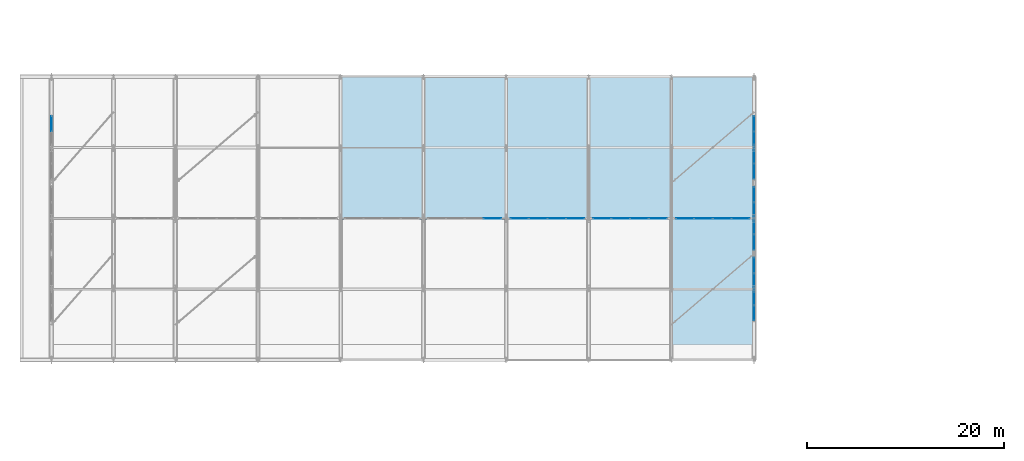
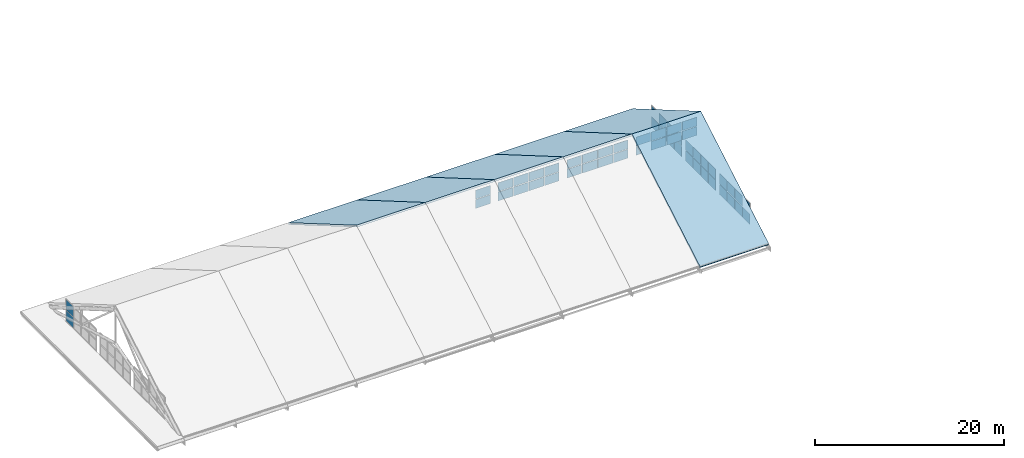
# One storey, part 39 of 54: 52 plates, 6 slabs, 8 elements without a shape of their own.
"""IFC4 building model written with IfcOpenShell, lengths in metres."""

from ifc_helpers import new_model, si_unit, direction, frame, origin, origin_2d, place, context, subcontext, project, spatial, polyline, rectangle, outline, extrude, material, layer, layer_set, type_object, element, aggregate, save


model = new_model("IFC4")

# Units and contexts
model_context = context("Model", 3, precision=1e-05, world=origin(), true_north=direction((0.0, 1.0)))
body_context = subcontext(model_context, "Body", "Model", "MODEL_VIEW")
ifc_project = project(units=[si_unit("LENGTHUNIT", "METRE"), si_unit("AREAUNIT", "SQUARE_METRE"), si_unit("VOLUMEUNIT", "CUBIC_METRE"), si_unit("PLANEANGLEUNIT", "RADIAN"), si_unit("MASSUNIT", "GRAM", prefix="KILO")], contexts=[model_context])

# Site, building, storey
site_placement = place(None, origin())
site = spatial("IfcSite", under=ifc_project, at=site_placement, CompositionType="ELEMENT")
building_placement = place(site_placement, origin())
building = spatial("IfcBuilding", under=site, at=building_placement, Name="Zulmaris Art Gallery", CompositionType="ELEMENT")
storey_placement = place(building_placement, frame((0.0, 0.0, 26.39990234375)))
storey = spatial("IfcBuildingStorey", under=building, at=storey_placement, Name="L05", CompositionType="ELEMENT", Elevation=26.39990234375)

# Curtain wall, plates
ifc_material_1 = material(Name="Pitched Roof North-Light Clerestory Wall", Category="aluminium")
ifc_layer_1 = layer(ifc_material_1, 0.179931640625)
ifc_layer_set_1 = layer_set([ifc_layer_1], Name="Pitched Roof North-Light Clerestory Wall")
curtain_wall_type = type_object("IfcCurtainWallType", Name="CW-CW05", PredefinedType="NOTDEFINED", material=ifc_layer_set_1)
curtain_wall_1_placement = place(storey_placement, origin())
curtain_wall_1 = element("IfcCurtainWall", 1, at=curtain_wall_1_placement, inside=storey, type_object=curtain_wall_type, Name="L05 curtain wall 40", PredefinedType="NOTDEFINED")
ifc_material_2 = material(Name="Triple Solar-Control Laminated Glass", Category="glass")
ifc_layer_2 = layer(ifc_material_2, 0.035888671875)
ifc_layer_set_2 = layer_set([ifc_layer_2], Name="Triple Solar-Control Laminated Glass")
plate_type = type_object("IfcPlateType", Name="CWPAN-GLZ", PredefinedType="CURTAIN_PANEL", material=ifc_layer_set_2)
plate_1_placement = place(storey_placement, frame((11.39990234375, 45.61865234375, 0.0751953125), z_axis=(0.0, 0.0, 1.0), x_axis=(0.0, 1.0, 0.0)))
plate_1 = element("IfcPlate", 2, at=plate_1_placement, type_object=plate_type, Name="CW05 panel 4.1", PredefinedType="CURTAIN_PANEL", context=body_context, shape_type="SweptSolid", body=[
    extrude(rectangle(XDim=1.512451171875, YDim=0.031982421875, at=origin_2d()), origin(), (0.0, 0.0, 1.0), 1.33740234375),
])
plate_2_placement = place(storey_placement, frame((11.39990234375, 45.61865234375, 1.487548828125), z_axis=(0.0, 0.0, 1.0), x_axis=(0.0, 1.0, 0.0)))
plate_2 = element("IfcPlate", 3, at=plate_2_placement, type_object=plate_type, Name="CW05 panel 4.2", PredefinedType="CURTAIN_PANEL", context=body_context, shape_type="SweptSolid", body=[
    extrude(rectangle(XDim=1.512451171875, YDim=0.031982421875, at=origin_2d()), origin(), (0.0, 0.0, 1.0), 1.33740234375),
])
aggregate(curtain_wall_1, [plate_1, plate_2])

curtain_wall_2_placement = place(storey_placement, origin())
curtain_wall_2 = element("IfcCurtainWall", 4, at=curtain_wall_2_placement, inside=storey, type_object=curtain_wall_type, Name="L05 curtain wall 41", PredefinedType="NOTDEFINED")
plate_3_placement = place(storey_placement, frame((82.800048828125, 26.38134765625, 0.0751953125), z_axis=(0.0, 0.0, 1.0), x_axis=(0.0, 1.0, 0.0)))
plate_3 = element("IfcPlate", 5, at=plate_3_placement, type_object=plate_type, Name="CW05 panel 1.1", PredefinedType="CURTAIN_PANEL", context=body_context, shape_type="SweptSolid", body=[
    extrude(rectangle(XDim=1.512451171875, YDim=0.031982421875, at=origin_2d()), origin(), (0.0, 0.0, 1.0), 1.33740234375),
])
plate_4_placement = place(storey_placement, frame((82.800048828125, 26.38134765625, 1.487548828125), z_axis=(0.0, 0.0, 1.0), x_axis=(0.0, 1.0, 0.0)))
plate_4 = element("IfcPlate", 6, at=plate_4_placement, type_object=plate_type, Name="CW05 panel 1.2", PredefinedType="CURTAIN_PANEL", context=body_context, shape_type="SweptSolid", body=[
    extrude(rectangle(XDim=1.512451171875, YDim=0.031982421875, at=origin_2d()), origin(), (0.0, 0.0, 1.0), 1.33740234375),
])
plate_5_placement = place(storey_placement, frame((82.800048828125, 27.987548828125, 0.0751953125), z_axis=(0.0, 0.0, 1.0), x_axis=(0.0, 1.0, 0.0)))
plate_5 = element("IfcPlate", 7, at=plate_5_placement, type_object=plate_type, Name="CW05 panel 2.1", PredefinedType="CURTAIN_PANEL", context=body_context, shape_type="SweptSolid", body=[
    extrude(rectangle(XDim=1.550048828125, YDim=0.031982421875, at=origin_2d()), origin(), (0.0, 0.0, 1.0), 1.33740234375),
])
plate_6_placement = place(storey_placement, frame((82.800048828125, 27.987548828125, 1.487548828125), z_axis=(0.0, 0.0, 1.0), x_axis=(0.0, 1.0, 0.0)))
plate_6 = element("IfcPlate", 8, at=plate_6_placement, type_object=plate_type, Name="CW05 panel 2.2", PredefinedType="CURTAIN_PANEL", context=body_context, shape_type="SweptSolid", body=[
    extrude(rectangle(XDim=1.550048828125, YDim=0.031982421875, at=origin_2d()), origin(), (0.0, 0.0, 1.0), 1.33740234375),
])
plate_7_placement = place(storey_placement, frame((82.800048828125, 29.612548828125, 0.0751953125), z_axis=(0.0, 0.0, 1.0), x_axis=(0.0, 1.0, 0.0)))
plate_7 = element("IfcPlate", 9, at=plate_7_placement, type_object=plate_type, Name="CW05 panel 3.1", PredefinedType="CURTAIN_PANEL", context=body_context, shape_type="SweptSolid", body=[
    extrude(rectangle(XDim=1.550048828125, YDim=0.031982421875, at=origin_2d()), origin(), (0.0, 0.0, 1.0), 1.33740234375),
])
plate_8_placement = place(storey_placement, frame((82.800048828125, 29.612548828125, 1.487548828125), z_axis=(0.0, 0.0, 1.0), x_axis=(0.0, 1.0, 0.0)))
plate_8 = element("IfcPlate", 10, at=plate_8_placement, type_object=plate_type, Name="CW05 panel 3.2", PredefinedType="CURTAIN_PANEL", context=body_context, shape_type="SweptSolid", body=[
    extrude(rectangle(XDim=1.550048828125, YDim=0.031982421875, at=origin_2d()), origin(), (0.0, 0.0, 1.0), 1.33740234375),
])
plate_9_placement = place(storey_placement, frame((82.800048828125, 31.21875, 0.0751953125), z_axis=(0.0, 0.0, 1.0), x_axis=(0.0, 1.0, 0.0)))
plate_9 = element("IfcPlate", 11, at=plate_9_placement, type_object=plate_type, Name="CW05 panel 4.1", PredefinedType="CURTAIN_PANEL", context=body_context, shape_type="SweptSolid", body=[
    extrude(rectangle(XDim=1.512451171875, YDim=0.031982421875, at=origin_2d()), origin(), (0.0, 0.0, 1.0), 1.33740234375),
])
plate_10_placement = place(storey_placement, frame((82.800048828125, 31.21875, 1.487548828125), z_axis=(0.0, 0.0, 1.0), x_axis=(0.0, 1.0, 0.0)))
plate_10 = element("IfcPlate", 12, at=plate_10_placement, type_object=plate_type, Name="CW05 panel 4.2", PredefinedType="CURTAIN_PANEL", context=body_context, shape_type="SweptSolid", body=[
    extrude(rectangle(XDim=1.512451171875, YDim=0.031982421875, at=origin_2d()), origin(), (0.0, 0.0, 1.0), 1.33740234375),
])
aggregate(curtain_wall_2, [plate_3, plate_4, plate_5, plate_6, plate_7, plate_8, plate_9, plate_10])

curtain_wall_3_placement = place(storey_placement, origin())
curtain_wall_3 = element("IfcCurtainWall", 13, at=curtain_wall_3_placement, inside=storey, type_object=curtain_wall_type, Name="L05 curtain wall 42", PredefinedType="NOTDEFINED")
plate_11_placement = place(storey_placement, frame((82.800048828125, 33.581298828125, 0.0751953125), z_axis=(0.0, 0.0, 1.0), x_axis=(0.0, 1.0, 0.0)))
plate_11 = element("IfcPlate", 14, at=plate_11_placement, type_object=plate_type, Name="CW05 panel 1.1", PredefinedType="CURTAIN_PANEL", context=body_context, shape_type="SweptSolid", body=[
    extrude(rectangle(XDim=1.512451171875, YDim=0.031982421875, at=origin_2d()), origin(), (0.0, 0.0, 1.0), 1.33740234375),
])
plate_12_placement = place(storey_placement, frame((82.800048828125, 33.581298828125, 1.487548828125), z_axis=(0.0, 0.0, 1.0), x_axis=(0.0, 1.0, 0.0)))
plate_12 = element("IfcPlate", 15, at=plate_12_placement, type_object=plate_type, Name="CW05 panel 1.2", PredefinedType="CURTAIN_PANEL", context=body_context, shape_type="SweptSolid", body=[
    extrude(rectangle(XDim=1.512451171875, YDim=0.031982421875, at=origin_2d()), origin(), (0.0, 0.0, 1.0), 1.33740234375),
])
plate_13_placement = place(storey_placement, frame((82.800048828125, 35.1875, 0.0751953125), z_axis=(0.0, 0.0, 1.0), x_axis=(0.0, 1.0, 0.0)))
plate_13 = element("IfcPlate", 16, at=plate_13_placement, type_object=plate_type, Name="CW05 panel 2.1", PredefinedType="CURTAIN_PANEL", context=body_context, shape_type="SweptSolid", body=[
    extrude(rectangle(XDim=1.550048828125, YDim=0.031982421875, at=origin_2d()), origin(), (0.0, 0.0, 1.0), 1.33740234375),
])
plate_14_placement = place(storey_placement, frame((82.800048828125, 35.1875, 1.487548828125), z_axis=(0.0, 0.0, 1.0), x_axis=(0.0, 1.0, 0.0)))
plate_14 = element("IfcPlate", 17, at=plate_14_placement, type_object=plate_type, Name="CW05 panel 2.2", PredefinedType="CURTAIN_PANEL", context=body_context, shape_type="SweptSolid", body=[
    extrude(rectangle(XDim=1.550048828125, YDim=0.031982421875, at=origin_2d()), origin(), (0.0, 0.0, 1.0), 1.33740234375),
])
plate_15_placement = place(storey_placement, frame((82.800048828125, 36.8125, 0.0751953125), z_axis=(0.0, 0.0, 1.0), x_axis=(0.0, 1.0, 0.0)))
plate_15 = element("IfcPlate", 18, at=plate_15_placement, type_object=plate_type, Name="CW05 panel 3.1", PredefinedType="CURTAIN_PANEL", context=body_context, shape_type="SweptSolid", body=[
    extrude(rectangle(XDim=1.550048828125, YDim=0.031982421875, at=origin_2d()), origin(), (0.0, 0.0, 1.0), 1.33740234375),
])
plate_16_placement = place(storey_placement, frame((82.800048828125, 36.8125, 1.487548828125), z_axis=(0.0, 0.0, 1.0), x_axis=(0.0, 1.0, 0.0)))
plate_16 = element("IfcPlate", 19, at=plate_16_placement, type_object=plate_type, Name="CW05 panel 3.2", PredefinedType="CURTAIN_PANEL", context=body_context, shape_type="SweptSolid", body=[
    extrude(rectangle(XDim=1.550048828125, YDim=0.031982421875, at=origin_2d()), origin(), (0.0, 0.0, 1.0), 1.33740234375),
])
plate_17_placement = place(storey_placement, frame((82.800048828125, 38.418701171875, 0.0751953125), z_axis=(0.0, 0.0, 1.0), x_axis=(0.0, 1.0, 0.0)))
plate_17 = element("IfcPlate", 20, at=plate_17_placement, type_object=plate_type, Name="CW05 panel 4.1", PredefinedType="CURTAIN_PANEL", context=body_context, shape_type="SweptSolid", body=[
    extrude(rectangle(XDim=1.512451171875, YDim=0.031982421875, at=origin_2d()), origin(), (0.0, 0.0, 1.0), 1.33740234375),
])
plate_18_placement = place(storey_placement, frame((82.800048828125, 38.418701171875, 1.487548828125), z_axis=(0.0, 0.0, 1.0), x_axis=(0.0, 1.0, 0.0)))
plate_18 = element("IfcPlate", 21, at=plate_18_placement, type_object=plate_type, Name="CW05 panel 4.2", PredefinedType="CURTAIN_PANEL", context=body_context, shape_type="SweptSolid", body=[
    extrude(rectangle(XDim=1.512451171875, YDim=0.031982421875, at=origin_2d()), origin(), (0.0, 0.0, 1.0), 1.33740234375),
])
aggregate(curtain_wall_3, [plate_11, plate_12, plate_13, plate_14, plate_15, plate_16, plate_17, plate_18])

curtain_wall_4_placement = place(storey_placement, origin())
curtain_wall_4 = element("IfcCurtainWall", 22, at=curtain_wall_4_placement, inside=storey, type_object=curtain_wall_type, Name="L05 curtain wall 43", PredefinedType="NOTDEFINED")
plate_19_placement = place(storey_placement, frame((82.800048828125, 40.78125, 0.0751953125), z_axis=(0.0, 0.0, 1.0), x_axis=(0.0, 1.0, 0.0)))
plate_19 = element("IfcPlate", 23, at=plate_19_placement, type_object=plate_type, Name="CW05 panel 1.1", PredefinedType="CURTAIN_PANEL", context=body_context, shape_type="SweptSolid", body=[
    extrude(rectangle(XDim=1.512451171875, YDim=0.031982421875, at=origin_2d()), origin(), (0.0, 0.0, 1.0), 1.33740234375),
])
plate_20_placement = place(storey_placement, frame((82.800048828125, 40.78125, 1.487548828125), z_axis=(0.0, 0.0, 1.0), x_axis=(0.0, 1.0, 0.0)))
plate_20 = element("IfcPlate", 24, at=plate_20_placement, type_object=plate_type, Name="CW05 panel 1.2", PredefinedType="CURTAIN_PANEL", context=body_context, shape_type="SweptSolid", body=[
    extrude(rectangle(XDim=1.512451171875, YDim=0.031982421875, at=origin_2d()), origin(), (0.0, 0.0, 1.0), 1.33740234375),
])
plate_21_placement = place(storey_placement, frame((82.800048828125, 42.387451171875, 0.0751953125), z_axis=(0.0, 0.0, 1.0), x_axis=(0.0, 1.0, 0.0)))
plate_21 = element("IfcPlate", 25, at=plate_21_placement, type_object=plate_type, Name="CW05 panel 2.1", PredefinedType="CURTAIN_PANEL", context=body_context, shape_type="SweptSolid", body=[
    extrude(rectangle(XDim=1.550048828125, YDim=0.031982421875, at=origin_2d()), origin(), (0.0, 0.0, 1.0), 1.33740234375),
])
plate_22_placement = place(storey_placement, frame((82.800048828125, 42.387451171875, 1.487548828125), z_axis=(0.0, 0.0, 1.0), x_axis=(0.0, 1.0, 0.0)))
plate_22 = element("IfcPlate", 26, at=plate_22_placement, type_object=plate_type, Name="CW05 panel 2.2", PredefinedType="CURTAIN_PANEL", context=body_context, shape_type="SweptSolid", body=[
    extrude(rectangle(XDim=1.550048828125, YDim=0.031982421875, at=origin_2d()), origin(), (0.0, 0.0, 1.0), 1.33740234375),
])
plate_23_placement = place(storey_placement, frame((82.800048828125, 44.012451171875, 0.0751953125), z_axis=(0.0, 0.0, 1.0), x_axis=(0.0, 1.0, 0.0)))
plate_23 = element("IfcPlate", 27, at=plate_23_placement, type_object=plate_type, Name="CW05 panel 3.1", PredefinedType="CURTAIN_PANEL", context=body_context, shape_type="SweptSolid", body=[
    extrude(rectangle(XDim=1.550048828125, YDim=0.031982421875, at=origin_2d()), origin(), (0.0, 0.0, 1.0), 1.33740234375),
])
plate_24_placement = place(storey_placement, frame((82.800048828125, 44.012451171875, 1.487548828125), z_axis=(0.0, 0.0, 1.0), x_axis=(0.0, 1.0, 0.0)))
plate_24 = element("IfcPlate", 28, at=plate_24_placement, type_object=plate_type, Name="CW05 panel 3.2", PredefinedType="CURTAIN_PANEL", context=body_context, shape_type="SweptSolid", body=[
    extrude(rectangle(XDim=1.550048828125, YDim=0.031982421875, at=origin_2d()), origin(), (0.0, 0.0, 1.0), 1.33740234375),
])
plate_25_placement = place(storey_placement, frame((82.800048828125, 45.61865234375, 0.0751953125), z_axis=(0.0, 0.0, 1.0), x_axis=(0.0, 1.0, 0.0)))
plate_25 = element("IfcPlate", 29, at=plate_25_placement, type_object=plate_type, Name="CW05 panel 4.1", PredefinedType="CURTAIN_PANEL", context=body_context, shape_type="SweptSolid", body=[
    extrude(rectangle(XDim=1.512451171875, YDim=0.031982421875, at=origin_2d()), origin(), (0.0, 0.0, 1.0), 1.33740234375),
])
plate_26_placement = place(storey_placement, frame((82.800048828125, 45.61865234375, 1.487548828125), z_axis=(0.0, 0.0, 1.0), x_axis=(0.0, 1.0, 0.0)))
plate_26 = element("IfcPlate", 30, at=plate_26_placement, type_object=plate_type, Name="CW05 panel 4.2", PredefinedType="CURTAIN_PANEL", context=body_context, shape_type="SweptSolid", body=[
    extrude(rectangle(XDim=1.512451171875, YDim=0.031982421875, at=origin_2d()), origin(), (0.0, 0.0, 1.0), 1.33740234375),
])
aggregate(curtain_wall_4, [plate_19, plate_20, plate_21, plate_22, plate_23, plate_24, plate_25, plate_26])

curtain_wall_5_placement = place(storey_placement, origin())
curtain_wall_5 = element("IfcCurtainWall", 31, at=curtain_wall_5_placement, inside=storey, type_object=curtain_wall_type, Name="L05 curtain wall 48", PredefinedType="NOTDEFINED")
plate_27_placement = place(storey_placement, frame((56.231201171875, 36.0, 5.47509765625), z_axis=(0.0, 0.0, 1.0), x_axis=(1.0, 0.0, 0.0)))
plate_27 = element("IfcPlate", 32, at=plate_27_placement, type_object=plate_type, Name="CW05 panel 4.1", PredefinedType="CURTAIN_PANEL", context=body_context, shape_type="SweptSolid", body=[
    extrude(rectangle(XDim=1.78759765625, YDim=0.031982421875, at=origin_2d()), origin(), (0.0, 0.0, 1.0), 1.137451171875),
])
plate_28_placement = place(storey_placement, frame((56.231201171875, 36.0, 6.6875), z_axis=(0.0, 0.0, 1.0), x_axis=(1.0, 0.0, 0.0)))
plate_28 = element("IfcPlate", 33, at=plate_28_placement, type_object=plate_type, Name="CW05 panel 4.2", PredefinedType="CURTAIN_PANEL", context=body_context, shape_type="SweptSolid", body=[
    extrude(rectangle(XDim=1.78759765625, YDim=0.031982421875, at=origin_2d()), origin(), (0.0, 0.0, 1.0), 1.137451171875),
])
aggregate(curtain_wall_5, [plate_27, plate_28])

curtain_wall_6_placement = place(storey_placement, origin())
curtain_wall_6 = element("IfcCurtainWall", 34, at=curtain_wall_6_placement, inside=storey, type_object=curtain_wall_type, Name="L05 curtain wall 49", PredefinedType="NOTDEFINED")
plate_29_placement = place(storey_placement, frame((58.96875, 36.0, 5.47509765625), z_axis=(0.0, 0.0, 1.0), x_axis=(1.0, 0.0, 0.0)))
plate_29 = element("IfcPlate", 35, at=plate_29_placement, type_object=plate_type, Name="CW05 panel 1.1", PredefinedType="CURTAIN_PANEL", context=body_context, shape_type="SweptSolid", body=[
    extrude(rectangle(XDim=1.78759765625, YDim=0.031982421875, at=origin_2d()), origin(), (0.0, 0.0, 1.0), 1.137451171875),
])
plate_30_placement = place(storey_placement, frame((58.96875, 36.0, 6.6875), z_axis=(0.0, 0.0, 1.0), x_axis=(1.0, 0.0, 0.0)))
plate_30 = element("IfcPlate", 36, at=plate_30_placement, type_object=plate_type, Name="CW05 panel 1.2", PredefinedType="CURTAIN_PANEL", context=body_context, shape_type="SweptSolid", body=[
    extrude(rectangle(XDim=1.78759765625, YDim=0.031982421875, at=origin_2d()), origin(), (0.0, 0.0, 1.0), 1.137451171875),
])
plate_31_placement = place(storey_placement, frame((60.85009765625, 36.0, 5.47509765625), z_axis=(0.0, 0.0, 1.0), x_axis=(1.0, 0.0, 0.0)))
plate_31 = element("IfcPlate", 37, at=plate_31_placement, type_object=plate_type, Name="CW05 panel 2.1", PredefinedType="CURTAIN_PANEL", context=body_context, shape_type="SweptSolid", body=[
    extrude(rectangle(XDim=1.824951171875, YDim=0.031982421875, at=origin_2d()), origin(), (0.0, 0.0, 1.0), 1.137451171875),
])
plate_32_placement = place(storey_placement, frame((60.85009765625, 36.0, 6.6875), z_axis=(0.0, 0.0, 1.0), x_axis=(1.0, 0.0, 0.0)))
plate_32 = element("IfcPlate", 38, at=plate_32_placement, type_object=plate_type, Name="CW05 panel 2.2", PredefinedType="CURTAIN_PANEL", context=body_context, shape_type="SweptSolid", body=[
    extrude(rectangle(XDim=1.824951171875, YDim=0.031982421875, at=origin_2d()), origin(), (0.0, 0.0, 1.0), 1.137451171875),
])
plate_33_placement = place(storey_placement, frame((62.75, 36.0, 5.47509765625), z_axis=(0.0, 0.0, 1.0), x_axis=(1.0, 0.0, 0.0)))
plate_33 = element("IfcPlate", 39, at=plate_33_placement, type_object=plate_type, Name="CW05 panel 3.1", PredefinedType="CURTAIN_PANEL", context=body_context, shape_type="SweptSolid", body=[
    extrude(rectangle(XDim=1.824951171875, YDim=0.031982421875, at=origin_2d()), origin(), (0.0, 0.0, 1.0), 1.137451171875),
])
plate_34_placement = place(storey_placement, frame((62.75, 36.0, 6.6875), z_axis=(0.0, 0.0, 1.0), x_axis=(1.0, 0.0, 0.0)))
plate_34 = element("IfcPlate", 40, at=plate_34_placement, type_object=plate_type, Name="CW05 panel 3.2", PredefinedType="CURTAIN_PANEL", context=body_context, shape_type="SweptSolid", body=[
    extrude(rectangle(XDim=1.824951171875, YDim=0.031982421875, at=origin_2d()), origin(), (0.0, 0.0, 1.0), 1.137451171875),
])
plate_35_placement = place(storey_placement, frame((64.63134765625, 36.0, 5.47509765625), z_axis=(0.0, 0.0, 1.0), x_axis=(1.0, 0.0, 0.0)))
plate_35 = element("IfcPlate", 41, at=plate_35_placement, type_object=plate_type, Name="CW05 panel 4.1", PredefinedType="CURTAIN_PANEL", context=body_context, shape_type="SweptSolid", body=[
    extrude(rectangle(XDim=1.78759765625, YDim=0.031982421875, at=origin_2d()), origin(), (0.0, 0.0, 1.0), 1.137451171875),
])
plate_36_placement = place(storey_placement, frame((64.63134765625, 36.0, 6.6875), z_axis=(0.0, 0.0, 1.0), x_axis=(1.0, 0.0, 0.0)))
plate_36 = element("IfcPlate", 42, at=plate_36_placement, type_object=plate_type, Name="CW05 panel 4.2", PredefinedType="CURTAIN_PANEL", context=body_context, shape_type="SweptSolid", body=[
    extrude(rectangle(XDim=1.78759765625, YDim=0.031982421875, at=origin_2d()), origin(), (0.0, 0.0, 1.0), 1.137451171875),
])
aggregate(curtain_wall_6, [plate_29, plate_30, plate_31, plate_32, plate_33, plate_34, plate_35, plate_36])

curtain_wall_7_placement = place(storey_placement, origin())
curtain_wall_7 = element("IfcCurtainWall", 43, at=curtain_wall_7_placement, inside=storey, type_object=curtain_wall_type, Name="L05 curtain wall 50", PredefinedType="NOTDEFINED")
plate_37_placement = place(storey_placement, frame((67.36865234375, 36.0, 5.47509765625), z_axis=(0.0, 0.0, 1.0), x_axis=(1.0, 0.0, 0.0)))
plate_37 = element("IfcPlate", 44, at=plate_37_placement, type_object=plate_type, Name="CW05 panel 1.1", PredefinedType="CURTAIN_PANEL", context=body_context, shape_type="SweptSolid", body=[
    extrude(rectangle(XDim=1.78759765625, YDim=0.031982421875, at=origin_2d()), origin(), (0.0, 0.0, 1.0), 1.137451171875),
])
plate_38_placement = place(storey_placement, frame((67.36865234375, 36.0, 6.6875), z_axis=(0.0, 0.0, 1.0), x_axis=(1.0, 0.0, 0.0)))
plate_38 = element("IfcPlate", 45, at=plate_38_placement, type_object=plate_type, Name="CW05 panel 1.2", PredefinedType="CURTAIN_PANEL", context=body_context, shape_type="SweptSolid", body=[
    extrude(rectangle(XDim=1.78759765625, YDim=0.031982421875, at=origin_2d()), origin(), (0.0, 0.0, 1.0), 1.137451171875),
])
plate_39_placement = place(storey_placement, frame((69.25, 36.0, 5.47509765625), z_axis=(0.0, 0.0, 1.0), x_axis=(1.0, 0.0, 0.0)))
plate_39 = element("IfcPlate", 46, at=plate_39_placement, type_object=plate_type, Name="CW05 panel 2.1", PredefinedType="CURTAIN_PANEL", context=body_context, shape_type="SweptSolid", body=[
    extrude(rectangle(XDim=1.824951171875, YDim=0.031982421875, at=origin_2d()), origin(), (0.0, 0.0, 1.0), 1.137451171875),
])
plate_40_placement = place(storey_placement, frame((69.25, 36.0, 6.6875), z_axis=(0.0, 0.0, 1.0), x_axis=(1.0, 0.0, 0.0)))
plate_40 = element("IfcPlate", 47, at=plate_40_placement, type_object=plate_type, Name="CW05 panel 2.2", PredefinedType="CURTAIN_PANEL", context=body_context, shape_type="SweptSolid", body=[
    extrude(rectangle(XDim=1.824951171875, YDim=0.031982421875, at=origin_2d()), origin(), (0.0, 0.0, 1.0), 1.137451171875),
])
plate_41_placement = place(storey_placement, frame((71.14990234375, 36.0, 5.47509765625), z_axis=(0.0, 0.0, 1.0), x_axis=(1.0, 0.0, 0.0)))
plate_41 = element("IfcPlate", 48, at=plate_41_placement, type_object=plate_type, Name="CW05 panel 3.1", PredefinedType="CURTAIN_PANEL", context=body_context, shape_type="SweptSolid", body=[
    extrude(rectangle(XDim=1.824951171875, YDim=0.031982421875, at=origin_2d()), origin(), (0.0, 0.0, 1.0), 1.137451171875),
])
plate_42_placement = place(storey_placement, frame((71.14990234375, 36.0, 6.6875), z_axis=(0.0, 0.0, 1.0), x_axis=(1.0, 0.0, 0.0)))
plate_42 = element("IfcPlate", 49, at=plate_42_placement, type_object=plate_type, Name="CW05 panel 3.2", PredefinedType="CURTAIN_PANEL", context=body_context, shape_type="SweptSolid", body=[
    extrude(rectangle(XDim=1.824951171875, YDim=0.031982421875, at=origin_2d()), origin(), (0.0, 0.0, 1.0), 1.137451171875),
])
plate_43_placement = place(storey_placement, frame((73.03125, 36.0, 5.47509765625), z_axis=(0.0, 0.0, 1.0), x_axis=(1.0, 0.0, 0.0)))
plate_43 = element("IfcPlate", 50, at=plate_43_placement, type_object=plate_type, Name="CW05 panel 4.1", PredefinedType="CURTAIN_PANEL", context=body_context, shape_type="SweptSolid", body=[
    extrude(rectangle(XDim=1.78759765625, YDim=0.031982421875, at=origin_2d()), origin(), (0.0, 0.0, 1.0), 1.137451171875),
])
plate_44_placement = place(storey_placement, frame((73.03125, 36.0, 6.6875), z_axis=(0.0, 0.0, 1.0), x_axis=(1.0, 0.0, 0.0)))
plate_44 = element("IfcPlate", 51, at=plate_44_placement, type_object=plate_type, Name="CW05 panel 4.2", PredefinedType="CURTAIN_PANEL", context=body_context, shape_type="SweptSolid", body=[
    extrude(rectangle(XDim=1.78759765625, YDim=0.031982421875, at=origin_2d()), origin(), (0.0, 0.0, 1.0), 1.137451171875),
])
aggregate(curtain_wall_7, [plate_37, plate_38, plate_39, plate_40, plate_41, plate_42, plate_43, plate_44])

curtain_wall_8_placement = place(storey_placement, origin())
curtain_wall_8 = element("IfcCurtainWall", 52, at=curtain_wall_8_placement, inside=storey, type_object=curtain_wall_type, Name="L05 curtain wall 51", PredefinedType="NOTDEFINED")
plate_45_placement = place(storey_placement, frame((75.768798828125, 36.0, 5.47509765625), z_axis=(0.0, 0.0, 1.0), x_axis=(1.0, 0.0, 0.0)))
plate_45 = element("IfcPlate", 53, at=plate_45_placement, type_object=plate_type, Name="CW05 panel 1.1", PredefinedType="CURTAIN_PANEL", context=body_context, shape_type="SweptSolid", body=[
    extrude(rectangle(XDim=1.78759765625, YDim=0.031982421875, at=origin_2d()), origin(), (0.0, 0.0, 1.0), 1.137451171875),
])
plate_46_placement = place(storey_placement, frame((75.768798828125, 36.0, 6.6875), z_axis=(0.0, 0.0, 1.0), x_axis=(1.0, 0.0, 0.0)))
plate_46 = element("IfcPlate", 54, at=plate_46_placement, type_object=plate_type, Name="CW05 panel 1.2", PredefinedType="CURTAIN_PANEL", context=body_context, shape_type="SweptSolid", body=[
    extrude(rectangle(XDim=1.78759765625, YDim=0.031982421875, at=origin_2d()), origin(), (0.0, 0.0, 1.0), 1.137451171875),
])
plate_47_placement = place(storey_placement, frame((77.64990234375, 36.0, 5.47509765625), z_axis=(0.0, 0.0, 1.0), x_axis=(1.0, 0.0, 0.0)))
plate_47 = element("IfcPlate", 55, at=plate_47_placement, type_object=plate_type, Name="CW05 panel 2.1", PredefinedType="CURTAIN_PANEL", context=body_context, shape_type="SweptSolid", body=[
    extrude(rectangle(XDim=1.824951171875, YDim=0.031982421875, at=origin_2d()), origin(), (0.0, 0.0, 1.0), 1.137451171875),
])
plate_48_placement = place(storey_placement, frame((77.64990234375, 36.0, 6.6875), z_axis=(0.0, 0.0, 1.0), x_axis=(1.0, 0.0, 0.0)))
plate_48 = element("IfcPlate", 56, at=plate_48_placement, type_object=plate_type, Name="CW05 panel 2.2", PredefinedType="CURTAIN_PANEL", context=body_context, shape_type="SweptSolid", body=[
    extrude(rectangle(XDim=1.824951171875, YDim=0.031982421875, at=origin_2d()), origin(), (0.0, 0.0, 1.0), 1.137451171875),
])
plate_49_placement = place(storey_placement, frame((79.550048828125, 36.0, 5.47509765625), z_axis=(0.0, 0.0, 1.0), x_axis=(1.0, 0.0, 0.0)))
plate_49 = element("IfcPlate", 57, at=plate_49_placement, type_object=plate_type, Name="CW05 panel 3.1", PredefinedType="CURTAIN_PANEL", context=body_context, shape_type="SweptSolid", body=[
    extrude(rectangle(XDim=1.824951171875, YDim=0.031982421875, at=origin_2d()), origin(), (0.0, 0.0, 1.0), 1.137451171875),
])
plate_50_placement = place(storey_placement, frame((79.550048828125, 36.0, 6.6875), z_axis=(0.0, 0.0, 1.0), x_axis=(1.0, 0.0, 0.0)))
plate_50 = element("IfcPlate", 58, at=plate_50_placement, type_object=plate_type, Name="CW05 panel 3.2", PredefinedType="CURTAIN_PANEL", context=body_context, shape_type="SweptSolid", body=[
    extrude(rectangle(XDim=1.824951171875, YDim=0.031982421875, at=origin_2d()), origin(), (0.0, 0.0, 1.0), 1.137451171875),
])
plate_51_placement = place(storey_placement, frame((81.43115234375, 36.0, 5.47509765625), z_axis=(0.0, 0.0, 1.0), x_axis=(1.0, 0.0, 0.0)))
plate_51 = element("IfcPlate", 59, at=plate_51_placement, type_object=plate_type, Name="CW05 panel 4.1", PredefinedType="CURTAIN_PANEL", context=body_context, shape_type="SweptSolid", body=[
    extrude(rectangle(XDim=1.78759765625, YDim=0.031982421875, at=origin_2d()), origin(), (0.0, 0.0, 1.0), 1.137451171875),
])
plate_52_placement = place(storey_placement, frame((81.43115234375, 36.0, 6.6875), z_axis=(0.0, 0.0, 1.0), x_axis=(1.0, 0.0, 0.0)))
plate_52 = element("IfcPlate", 60, at=plate_52_placement, type_object=plate_type, Name="CW05 panel 4.2", PredefinedType="CURTAIN_PANEL", context=body_context, shape_type="SweptSolid", body=[
    extrude(rectangle(XDim=1.78759765625, YDim=0.031982421875, at=origin_2d()), origin(), (0.0, 0.0, 1.0), 1.137451171875),
])
aggregate(curtain_wall_8, [plate_45, plate_46, plate_47, plate_48, plate_49, plate_50, plate_51, plate_52])

# Slabs
ifc_material_3 = material(Name="Concrete C40/50", Category="concrete")
ifc_layer_3 = layer(ifc_material_3, 0.219970703125)
ifc_layer_set_3 = layer_set([ifc_layer_3], Name="Concrete C40/50")
slab_type = type_object("IfcSlabType", Name="SLAB-SL-RF02", PredefinedType="ROOF", material=ifc_layer_set_3)
slab_1_placement = place(storey_placement, frame((40.800048828125, 36.0, 8.400146484375), z_axis=(0.0, 0.503880131008, 0.863773589302), x_axis=(1.0, 0.0, 0.0)))
element("IfcSlab", 61, at=slab_1_placement, inside=storey, type_object=slab_type, Name="V1 North Pitched Skylight Roof Bay 4", PredefinedType="ROOF", context=body_context, shape_type="SweptSolid", body=[
    extrude(outline(polyline([(0.0, 0.0), (8.39990234375, 0.0), (8.39990234375, 16.670922244089986), (0.0, 16.670922244089986), (0.0, 0.0)])), origin(), (0.0, 0.0, -1.0), 0.219970703125),
])
slab_2_placement = place(storey_placement, frame((49.199951171875, 36.0, 8.400146484375), z_axis=(0.0, 0.503880131008, 0.863773589302), x_axis=(1.0, 0.0, 0.0)))
element("IfcSlab", 62, at=slab_2_placement, inside=storey, type_object=slab_type, Name="V1 North Pitched Skylight Roof Bay 5", PredefinedType="ROOF", context=body_context, shape_type="SweptSolid", body=[
    extrude(outline(polyline([(0.0, 0.0), (8.400146484375, 0.0), (8.400146484375, 16.67092224408999), (0.0, 16.67092224408999), (0.0, 0.0)])), origin(), (0.0, 0.0, -1.0), 0.219970703125),
])
for number, where, z_axis, x_axis, name in (
    (63, (57.60009765625, 36.0, 8.400146484375), (0.0, 0.503880131008, 0.863773589302), (1.0, 0.0, 0.0), "V1 North Pitched Skylight Roof Bay 6"),
    (64, (66.0, 36.0, 8.400146484375), (0.0, 0.503880131008, 0.863773589302), (1.0, 0.0, 0.0), "V1 North Pitched Skylight Roof Bay 7"),
):
    element("IfcSlab", number, at=place(storey_placement, frame(where, z_axis=z_axis, x_axis=x_axis)), inside=storey, type_object=slab_type, Name=name, PredefinedType="ROOF", context=body_context, shape_type="SweptSolid", body=[
        extrude(outline(polyline([(0.0, 0.0), (8.39990234375, 0.0), (8.39990234375, 16.670922244089986), (0.0, 16.670922244089986), (0.0, 0.0)])), origin(), (0.0, 0.0, -1.0), 0.219970703125),
    ])
for number, where, z_axis, x_axis, name in (
    (65, (74.39990234375, 21.60009765625, 0.0), (0.0, -0.503880131008, 0.863773589302), (1.0, 0.0, 0.0), "V1 South Pitched Skylight Roof Bay 8"),
    (66, (74.39990234375, 36.0, 8.400146484375), (0.0, 0.503880131008, 0.863773589302), (1.0, 0.0, 0.0), "V1 North Pitched Skylight Roof Bay 8"),
):
    element("IfcSlab", number, at=place(storey_placement, frame(where, z_axis=z_axis, x_axis=x_axis)), inside=storey, type_object=slab_type, Name=name, PredefinedType="ROOF", context=body_context, shape_type="SweptSolid", body=[
        extrude(outline(polyline([(0.0, 0.0), (8.400146484375, 0.0), (8.400146484375, 16.67092224408999), (0.0, 16.67092224408999), (0.0, 0.0)])), origin(), (0.0, 0.0, -1.0), 0.219970703125),
    ])

save(model, "model.ifc")
